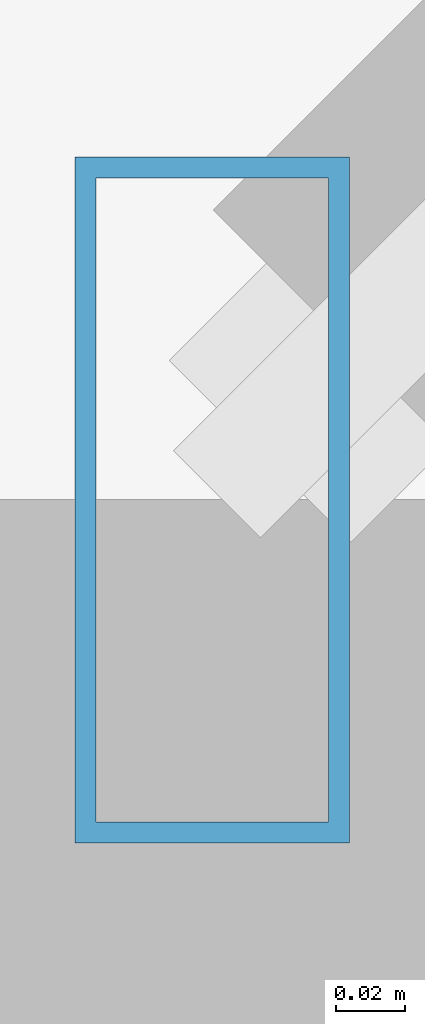
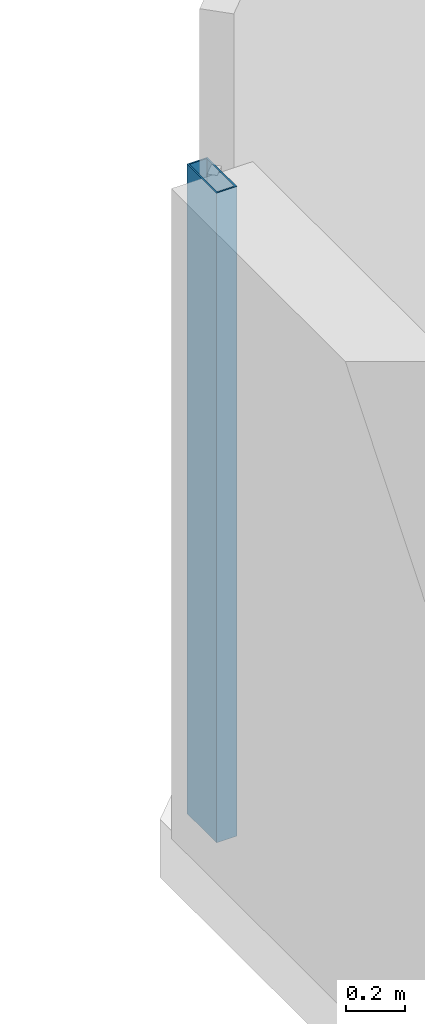
# One storey, part 11 of 33: 1 member, 1 element without a shape of its own.
"""IFC4 building model written with IfcOpenShell, lengths in metres."""

import ifcopenshell
import ifcopenshell.guid

model = None  # the IFC model being written
_history = None  # IfcOwnerHistory: only IFC2X3 demands one
_inside = {}  # id of a spatial element -> (the spatial element, [elements in it])
_under = {}  # id of a project, library or spatial element -> (it, [spatial elements below it])
_declared = {}  # id of a project -> (the project, [libraries it declares])
_typed = {}  # id of a type object -> (the type object, [elements of that type])
_made_of = {}  # id of a material, layer set ... -> (it, [elements and type objects made of it])


def new_model(schema):
    """Start an empty IFC model of exactly this schema.

    Asked for "IFC4X3", IfcOpenShell would pick the latest addendum, in which some entities
    have other attributes; the version numbers below select the first issue.
    IFC2X3 requires an IfcOwnerHistory on every rooted entity: one is made here for all.
    """
    global model, _history
    if schema == "IFC4X3":
        model = ifcopenshell.file(schema_version=(4, 3, 0, 0))
    else:
        model = ifcopenshell.file(schema=schema)
    _inside.clear()
    _under.clear()
    _declared.clear()
    _typed.clear()
    _made_of.clear()
    _history = None
    if model.schema == "IFC2X3":
        org = make("IfcOrganization", Name="unknown")
        user = make(
            "IfcPersonAndOrganization",
            ThePerson=make("IfcPerson", FamilyName="unknown"),
            TheOrganization=org,
        )
        app = make(
            "IfcApplication",
            ApplicationDeveloper=org,
            Version="unknown",
            ApplicationFullName="unknown",
            ApplicationIdentifier="unknown",
        )
        _history = make(
            "IfcOwnerHistory",
            OwningUser=user,
            OwningApplication=app,
            ChangeAction="ADDED",
            CreationDate=0,
        )
    return model


def make(cls, **values):
    """One entity of the class cls with the attributes given. An attribute that is None is left unset."""
    return model.create_entity(
        cls, **{name: value for name, value in values.items() if value is not None}
    )


def rooted(cls, **values):
    """An entity with a GlobalId (a new one), such as an element, a storey or a relation."""
    return make(cls, GlobalId=ifcopenshell.guid.new(), OwnerHistory=_history, **values)


def si_unit(unit_type, name, prefix=None):
    """IfcSIUnit, for example si_unit("LENGTHUNIT", "METRE", prefix="MILLI")."""
    return make("IfcSIUnit", UnitType=unit_type, Prefix=prefix, Name=name)


def assignment(units):
    """IfcUnitAssignment: the units of a project."""
    return None if units is None else make("IfcUnitAssignment", Units=units)


def point(xyz):
    """IfcCartesianPoint."""
    return None if xyz is None else make("IfcCartesianPoint", Coordinates=xyz)


def direction(xyz):
    """IfcDirection."""
    return None if xyz is None else make("IfcDirection", DirectionRatios=xyz)


def frame(location, z_axis=None, x_axis=None):
    """IfcAxis2Placement3D, a coordinate frame: its origin and axes. An axis left out is left unset."""
    return make(
        "IfcAxis2Placement3D",
        Location=point(location),
        Axis=direction(z_axis),
        RefDirection=direction(x_axis),
    )


def frame_2d(location, x_axis=None):
    """IfcAxis2Placement2D, a coordinate frame in the plane: its origin and x axis."""
    return make(
        "IfcAxis2Placement2D", Location=point(location), RefDirection=direction(x_axis)
    )


def origin():
    """The frame at (0, 0, 0) with its axes left unset."""
    return frame((0.0, 0.0, 0.0))


def origin_2d():
    """The frame at (0, 0) in the plane with its x axis left unset."""
    return frame_2d((0.0, 0.0))


def place(relative_to, where):
    """IfcLocalPlacement: puts the frame where relative to a parent placement (None: the world)."""
    return make(
        "IfcLocalPlacement", PlacementRelTo=relative_to, RelativePlacement=where
    )


def context(
    kind, dimensions, precision=None, world=None, true_north=None, identifier=None
):
    """IfcGeometricRepresentationContext, for example the 3D "Model" context."""
    return make(
        "IfcGeometricRepresentationContext",
        ContextIdentifier=identifier,
        ContextType=kind,
        CoordinateSpaceDimension=dimensions,
        Precision=precision,
        WorldCoordinateSystem=world,
        TrueNorth=true_north,
    )


def subcontext(parent, identifier, kind, view, scale=None):
    """IfcGeometricRepresentationSubContext, for example "Body" below "Model"."""
    return make(
        "IfcGeometricRepresentationSubContext",
        ContextIdentifier=identifier,
        ContextType=kind,
        ParentContext=parent,
        TargetScale=scale,
        TargetView=view,
    )


def project(units=None, contexts=None):
    """IfcProject with its units and contexts."""
    return rooted(
        "IfcProject",
        Name="project",
        RepresentationContexts=contexts,
        UnitsInContext=assignment(units),
    )


def spatial(cls, under=None, at=None, **own):
    """A site, building, storey or space (cls), placed at a placement, below another one or the project."""
    s = rooted(cls, ObjectPlacement=at, **own)
    if under is not None:
        _under.setdefault(under.id(), (under, []))[1].append(s)
    return s


def profile(cls, at=None, kind="AREA", **sizes):
    """A parametric profile (cls). Its sizes go by their IFC names, for example OverallWidth=200.0."""
    return make(cls, ProfileType=kind, Position=at, **sizes)


def hollow_rectangle(**sizes):
    """IfcRectangleHollowProfileDef."""
    return profile("IfcRectangleHollowProfileDef", **sizes)


def extrude(swept, where, along, depth):
    """IfcExtrudedAreaSolid: the profile swept, set in the frame where, extruded along a direction by depth."""
    return make(
        "IfcExtrudedAreaSolid",
        SweptArea=swept,
        Position=where,
        ExtrudedDirection=direction(along),
        Depth=depth,
    )


def shape(context_of_items, identifier, shape_type, items):
    """IfcShapeRepresentation: the items that make up one representation, for example the "Body"."""
    return make(
        "IfcShapeRepresentation",
        ContextOfItems=context_of_items,
        RepresentationIdentifier=identifier,
        RepresentationType=shape_type,
        Items=items,
    )


def material(Name=None, Category=None):
    """IfcMaterial."""
    return make("IfcMaterial", Name=Name, Category=Category)


def material_profile(
    of_material, cross_section, Name=None, Category=None, Priority=None
):
    """IfcMaterialProfile: a cross section and its material."""
    return make(
        "IfcMaterialProfile",
        Name=Name,
        Material=of_material,
        Profile=cross_section,
        Priority=Priority,
        Category=Category,
    )


def profile_set(profiles, Name=None, composite=None):
    """IfcMaterialProfileSet."""
    return make(
        "IfcMaterialProfileSet",
        Name=Name,
        MaterialProfiles=profiles,
        CompositeProfile=composite,
    )


def made_of(thing, what):
    """Note that an element or type object is made of a material, layer set ...; save() writes the relation."""
    if what is not None:
        _made_of.setdefault(what.id(), (what, []))[1].append(thing)
    return thing


def type_object(cls, material=None, **own):
    """A type object (cls), such as IfcWallType, which elements share."""
    return made_of(rooted(cls, **own), material)


def element(
    cls,
    number,
    at=None,
    inside=None,
    cuts=None,
    type_object=None,
    material=None,
    context=None,
    identifier="Body",
    shape_type=None,
    held_by="IfcProductDefinitionShape",
    body=None,
    shapes=None,
    **own,
):
    """One element of the class cls, such as IfcWall. Its Tag is "e" and its number.

    at: its placement. inside: the storey or other place that contains it. cuts: it is an
    opening in that element (IfcRelVoidsElement). A single representation is given by context,
    identifier, shape_type and body (its items); several are given by shapes. held_by: the class
    of the entity that holds the representations. save() writes the other relations.
    """
    e = rooted(cls, Tag="e%d" % number, ObjectPlacement=at, **own)
    if body is not None:
        shapes = [shape(context, identifier, shape_type, body)]
    if shapes is not None:
        e.Representation = make(held_by, Representations=shapes)
    if inside is not None:
        _inside.setdefault(inside.id(), (inside, []))[1].append(e)
    if cuts is not None:
        rooted(
            "IfcRelVoidsElement", RelatingBuildingElement=cuts, RelatedOpeningElement=e
        )
    if type_object is not None:
        _typed.setdefault(type_object.id(), (type_object, []))[1].append(e)
    return made_of(e, material)


def aggregate(whole, parts):
    """IfcRelAggregates: a whole, such as a stair, and the parts it consists of."""
    return rooted("IfcRelAggregates", RelatingObject=whole, RelatedObjects=parts)


def save(model, path):
    """Write the relations noted so far, then the file.

    IfcRelAggregates (storeys below a building ...), IfcRelContainedInSpatialStructure (elements
    in a storey), IfcRelDefinesByType, IfcRelAssociatesMaterial and IfcRelDeclares: one each for
    every whole, place, type object, material and project.
    """
    for whole, parts in _under.values():
        aggregate(whole, parts)
    for where, things in _inside.values():
        rooted(
            "IfcRelContainedInSpatialStructure",
            RelatedElements=things,
            RelatingStructure=where,
        )
    for kind, things in _typed.values():
        rooted("IfcRelDefinesByType", RelatedObjects=things, RelatingType=kind)
    for what, things in _made_of.values():
        rooted("IfcRelAssociatesMaterial", RelatedObjects=things, RelatingMaterial=what)
    for by, libraries in _declared.values():
        rooted("IfcRelDeclares", RelatingContext=by, RelatedDefinitions=libraries)
    model.write(path)


model = new_model("IFC4")

# Units and contexts
model_context = context("Model", 3, precision=1e-05, world=origin(), true_north=direction((0.0, 1.0)))
body_context = subcontext(model_context, "Body", "Model", "MODEL_VIEW")
ifc_project = project(units=[si_unit("LENGTHUNIT", "METRE"), si_unit("AREAUNIT", "SQUARE_METRE"), si_unit("VOLUMEUNIT", "CUBIC_METRE"), si_unit("PLANEANGLEUNIT", "RADIAN"), si_unit("MASSUNIT", "GRAM", prefix="KILO")], contexts=[model_context])

# Site, building, storey
site_placement = place(None, origin())
site = spatial("IfcSite", under=ifc_project, at=site_placement, CompositionType="ELEMENT")
building_placement = place(site_placement, origin())
building = spatial("IfcBuilding", under=site, at=building_placement, Name="Thornwick Lancets Civic Towers", CompositionType="ELEMENT")
storey_placement = place(building_placement, frame((0.0, 0.0, 163.5)))
storey = spatial("IfcBuildingStorey", under=building, at=storey_placement, Name="L43", CompositionType="ELEMENT", Elevation=163.5)

# Curtain wall, member
ifc_material_1 = material(Name="Mid-zone chamfered-corner unitised glass curtain wall", Category="glass")
curtain_wall_type = type_object("IfcCurtainWallType", Name="CW_SYS_04", PredefinedType="NOTDEFINED", material=ifc_material_1)
curtain_wall_placement = place(storey_placement, origin())
curtain_wall = element("IfcCurtainWall", 1, at=curtain_wall_placement, inside=storey, type_object=curtain_wall_type, Name="L43 Curtain Wall CW-L43-B-E5", PredefinedType="NOTDEFINED")
ifc_material_2 = material(Name="Thermally broken bronze aluminium S355", Category="steel")
ifc_material_profile = material_profile(ifc_material_2, hollow_rectangle(XDim=0.080078125, YDim=0.199951171875, WallThickness=0.006103515625, at=origin_2d()), Name="RHS 200x80x6")
ifc_profile_set = profile_set([ifc_material_profile], Name="Thermally broken bronze aluminium S355")
member_type = type_object("IfcMemberType", Name="CW_MUL_200", PredefinedType="MULLION", material=ifc_profile_set)
member_placement = place(storey_placement, frame((70.7373046875, 47.62939453125, 0.0), z_axis=(0.0, 0.0, 1.0), x_axis=(1.0, 0.0, 0.0)))
member = element("IfcMember", 2, at=member_placement, type_object=member_type, Name="CW-L43-B-E5 Mullion 1", PredefinedType="MULLION", context=body_context, shape_type="SweptSolid", body=[
    extrude(hollow_rectangle(XDim=0.080078125, YDim=0.199951171875, WallThickness=0.006103515625, at=origin_2d()), origin(), (0.0, 0.0, 1.0), 2.699951171875),
])
aggregate(curtain_wall, [member])

save(model, "model.ifc")
